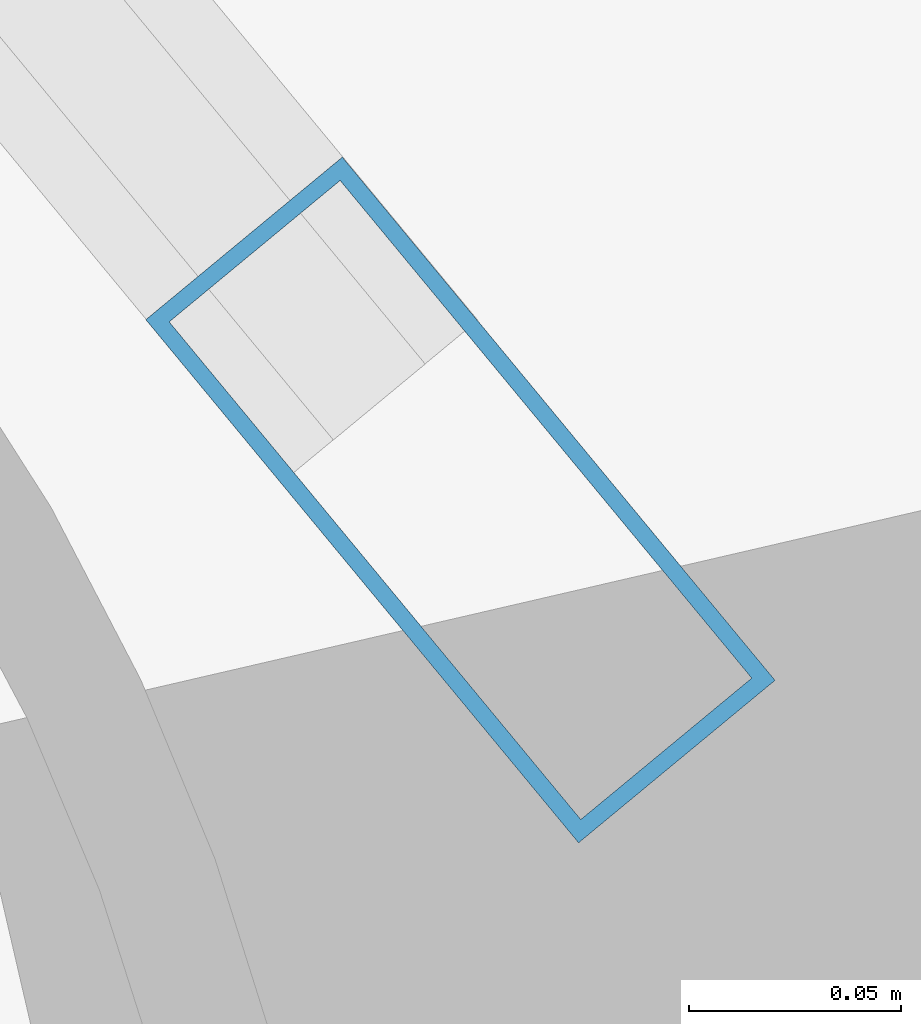
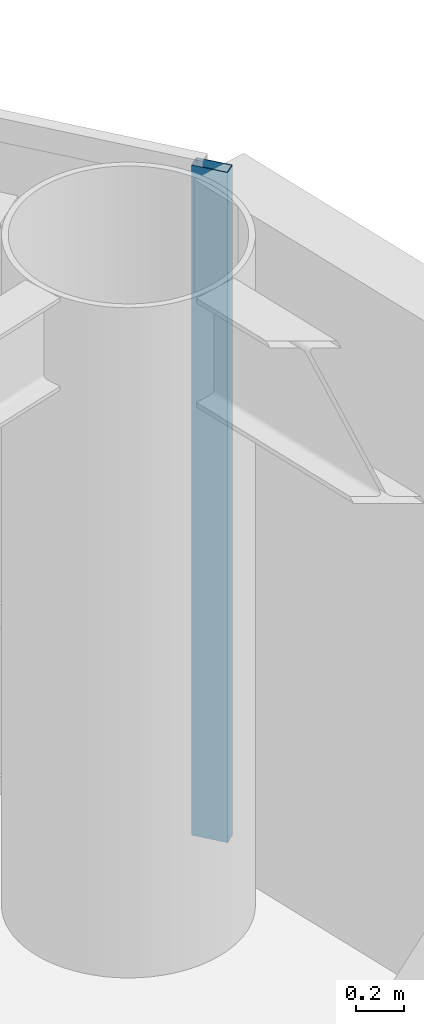
# One storey, part 9 of 30: 1 member, 1 element without a shape of its own.
"""IFC4 building model written with IfcOpenShell, lengths in metres."""

from ifc_helpers import new_model, si_unit, direction, frame, origin, origin_2d, place, context, subcontext, project, spatial, hollow_rectangle, extrude, material, layer, layer_set, material_profile, profile_set, type_object, element, aggregate, save


model = new_model("IFC4")

# Units and contexts
model_context = context("Model", 3, precision=1e-05, world=origin(), true_north=direction((0.0, 1.0)))
body_context = subcontext(model_context, "Body", "Model", "MODEL_VIEW")
ifc_project = project(units=[si_unit("LENGTHUNIT", "METRE"), si_unit("AREAUNIT", "SQUARE_METRE"), si_unit("VOLUMEUNIT", "CUBIC_METRE"), si_unit("PLANEANGLEUNIT", "RADIAN"), si_unit("MASSUNIT", "GRAM", prefix="KILO")], contexts=[model_context])

# Site, building, storey
site_placement = place(None, origin())
site = spatial("IfcSite", under=ifc_project, at=site_placement, CompositionType="ELEMENT")
building_placement = place(site_placement, origin())
building = spatial("IfcBuilding", under=site, at=building_placement, Name="Sarneth Arch Tower", CompositionType="ELEMENT")
storey_placement = place(building_placement, frame((0.0, 0.0, 161.39990234375)))
storey = spatial("IfcBuildingStorey", under=building, at=storey_placement, Name="L40", CompositionType="ELEMENT", Elevation=161.39990234375)

# Curtain wall, member
ifc_material_1 = material(Name="Anodised aluminium Type AA25 and solar-control low-e laminated IGU", Category="aluminium")
ifc_layer = layer(ifc_material_1, 0.169921875)
ifc_layer_set = layer_set([ifc_layer], Name="Anodised aluminium Type AA25 and solar-control low-e laminated IGU")
curtain_wall_type = type_object("IfcCurtainWallType", Name="CW-RES-MID", PredefinedType="NOTDEFINED", material=ifc_layer_set)
curtain_wall_placement = place(storey_placement, origin())
curtain_wall = element("IfcCurtainWall", 1, at=curtain_wall_placement, inside=storey, type_object=curtain_wall_type, Name="L40 Unitised curtain wall facet 02", PredefinedType="NOTDEFINED")
ifc_material_2 = material(Name="Anodised Aluminium 6063-T6", Category="aluminium")
ifc_material_profile = material_profile(ifc_material_2, hollow_rectangle(XDim=0.06005859375, YDim=0.159912109375, WallThickness=0.00390625, at=origin_2d()), Name="AL-MULL-160x60x4")
ifc_profile_set = profile_set([ifc_material_profile], Name="Anodised Aluminium 6063-T6")
member_type = type_object("IfcMemberType", Name="CW-MULLION", PredefinedType="MULLION", material=ifc_profile_set)
member_placement = place(storey_placement, frame((73.213134765625, 50.090087890625, 0.0), z_axis=(0.0, 0.0, 1.0), x_axis=(-0.770590741276, -0.637330298558, 0.0)))
member = element("IfcMember", 2, at=member_placement, type_object=member_type, Name="CW-SYS-5 mullion 1", PredefinedType="MULLION", context=body_context, shape_type="SweptSolid", body=[
    extrude(hollow_rectangle(XDim=0.06005859375, YDim=0.159912109375, WallThickness=0.00390625, at=origin_2d()), origin(), (0.0, 0.0, 1.0), 3.380126953125),
])
aggregate(curtain_wall, [member])

save(model, "model.ifc")
